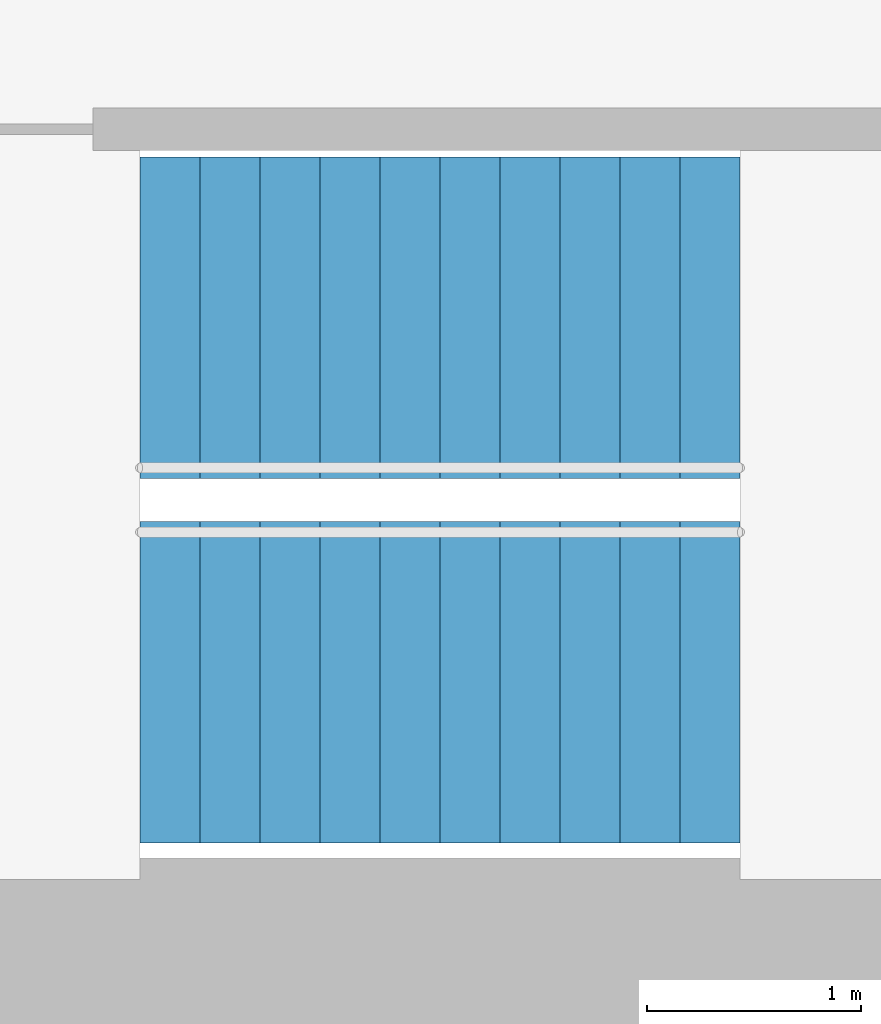
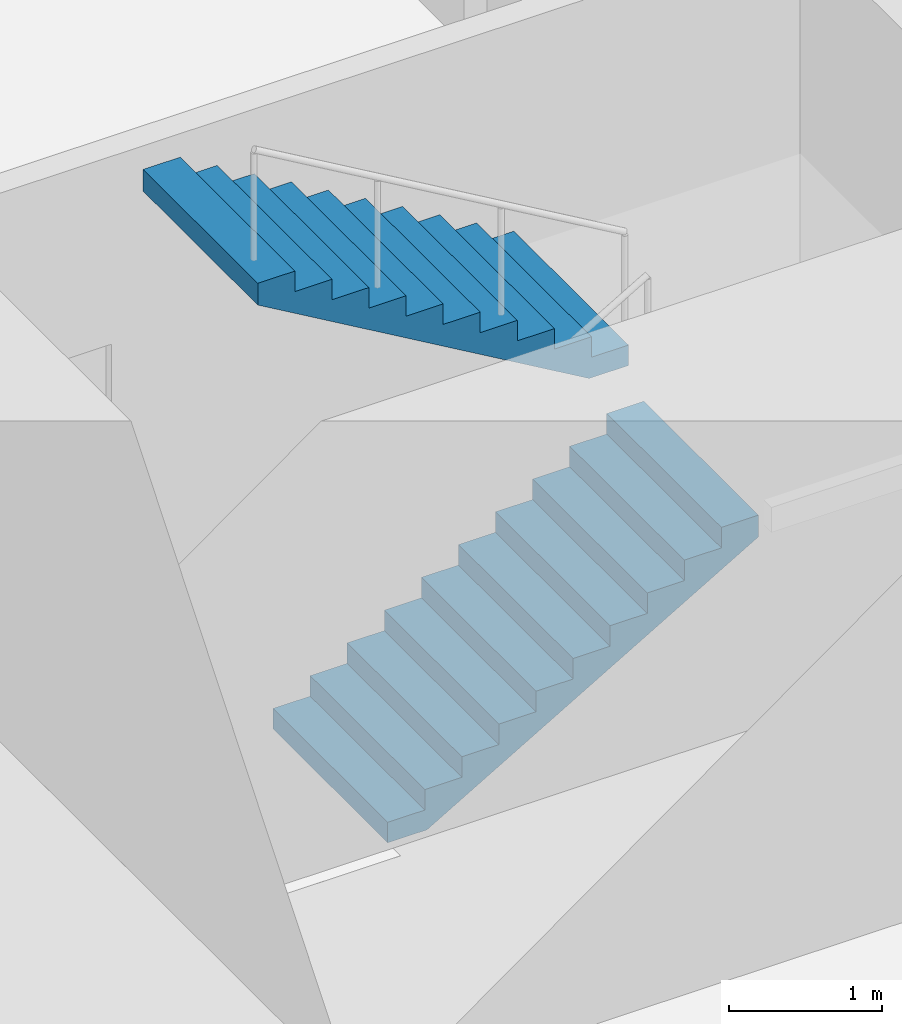
# One storey, part 13 of 15: 2 stair flights, 1 element without a shape of its own.
"""IFC4 building model written with IfcOpenShell, lengths in metres."""

from ifc_helpers import new_model, si_unit, direction, frame, origin, place, context, subcontext, project, spatial, triangles, material, type_object, element, aggregate, save


model = new_model("IFC4")

# Units and contexts
model_context = context("Model", 3, precision=1e-05, world=origin(), true_north=direction((0.0, 1.0)))
body_context = subcontext(model_context, "Body", "Model", "MODEL_VIEW")
ifc_project = project(units=[si_unit("LENGTHUNIT", "METRE"), si_unit("AREAUNIT", "SQUARE_METRE"), si_unit("VOLUMEUNIT", "CUBIC_METRE"), si_unit("PLANEANGLEUNIT", "RADIAN"), si_unit("MASSUNIT", "GRAM", prefix="KILO")], contexts=[model_context])

# Site, building, storey
site_placement = place(None, origin())
site = spatial("IfcSite", under=ifc_project, at=site_placement, CompositionType="ELEMENT")
building_placement = place(site_placement, origin())
building = spatial("IfcBuilding", under=site, at=building_placement, Name="Lantaw Convention Tower", CompositionType="ELEMENT")
storey_placement = place(building_placement, frame((0.0, 0.0, 58.60009765625)))
storey = spatial("IfcBuildingStorey", under=building, at=storey_placement, Name="L12", CompositionType="ELEMENT", Elevation=58.60009765625)

# Stair, stair flights
ifc_material = material(Name="Concrete C35/45", Category="concrete")
stair_type = type_object("IfcStairType", Name="Exit stair 1500 riser 163.64 in 2 flights", PredefinedType="HALF_TURN_STAIR", material=ifc_material)
stair_placement = place(storey_placement, origin())
stair = element("IfcStair", 1, at=stair_placement, inside=storey, type_object=stair_type, Name="Exit stair S1 L12", PredefinedType="HALF_TURN_STAIR")
stair_flight_type = type_object("IfcStairFlightType", Name="Stair flight 1500 riser 163.64", PredefinedType="STRAIGHT", material=ifc_material)
stair_flight_1_placement = place(storey_placement, frame((-10.580078125, -5.97998046875, 0.0), z_axis=(0.0, 0.0, 1.0), x_axis=(1.0, 0.0, 0.0)))
stair_flight_1 = element("IfcStairFlight", 2, at=stair_flight_1_placement, type_object=stair_flight_type, Name="S1 flight 1", NumberOfRisers=11, NumberOfTreads=10, PredefinedType="STRAIGHT", RiserHeight=0.163636364, TreadLength=0.28, context=body_context, shape_type="Tessellation", body=[
    triangles([(0.0, 0.75, 0.0), (0.0, 0.75, 0.163636364), (0.28, 0.75, 0.0), (0.28, 0.75, 0.163636364), (0.28, 0.75, 0.327272728), (0.2970904571225277, 0.75, 0.0), (0.2970904571225277, 0.75, 0.327272728), (0.56, 0.75, 0.1536484344906131), (0.56, 0.75, 0.327272728), (0.56, 0.75, 0.490909092), (0.8400000000000001, 0.75, 0.3172847984906131), (0.8400000000000001, 0.75, 0.490909092), (0.8400000000000001, 0.75, 0.654545456), (1.12, 0.75, 0.4809211624906131), (1.12, 0.75, 0.654545456), (1.12, 0.75, 0.8181818200000001), (1.4000000000000001, 0.75, 0.6445575264906132), (1.4000000000000001, 0.75, 0.8181818200000001), (1.4000000000000001, 0.75, 0.981818184), (1.6800000000000002, 0.75, 0.8081938904906131), (1.6800000000000002, 0.75, 0.981818184), (1.6800000000000002, 0.75, 1.145454548), (1.9600000000000002, 0.75, 0.9718302544906131), (1.9600000000000002, 0.75, 1.145454548), (1.9600000000000002, 0.75, 1.309090912), (2.24, 0.75, 1.135466618490613), (2.24, 0.75, 1.309090912), (2.24, 0.75, 1.472727276), (2.5200000000000005, 0.75, 1.2991029824906133), (2.5200000000000005, 0.75, 1.472727276), (2.5200000000000005, 0.75, 1.6363636400000001), (2.8000000000000003, 0.75, 1.462739346490613), (2.8000000000000003, 0.75, 1.6363636400000001), (0.0, -0.75, 0.0), (0.0, -0.75, 0.163636364), (0.28, -0.75, 0.0), (0.28, -0.75, 0.163636364), (0.28, -0.75, 0.327272728), (0.2970904571225277, -0.75, 0.0), (0.2970904571225277, -0.75, 0.327272728), (0.56, -0.75, 0.1536484344906131), (0.56, -0.75, 0.327272728), (0.56, -0.75, 0.490909092), (0.8400000000000001, -0.75, 0.3172847984906131), (0.8400000000000001, -0.75, 0.490909092), (0.8400000000000001, -0.75, 0.654545456), (1.12, -0.75, 0.4809211624906131), (1.12, -0.75, 0.654545456), (1.12, -0.75, 0.8181818200000001), (1.4000000000000001, -0.75, 0.6445575264906132), (1.4000000000000001, -0.75, 0.8181818200000001), (1.4000000000000001, -0.75, 0.981818184), (1.6800000000000002, -0.75, 0.8081938904906131), (1.6800000000000002, -0.75, 0.981818184), (1.6800000000000002, -0.75, 1.145454548), (1.9600000000000002, -0.75, 0.9718302544906131), (1.9600000000000002, -0.75, 1.145454548), (1.9600000000000002, -0.75, 1.309090912), (2.24, -0.75, 1.135466618490613), (2.24, -0.75, 1.309090912), (2.24, -0.75, 1.472727276), (2.5200000000000005, -0.75, 1.2991029824906133), (2.5200000000000005, -0.75, 1.472727276), (2.5200000000000005, -0.75, 1.6363636400000001), (2.8000000000000003, -0.75, 1.462739346490613), (2.8000000000000003, -0.75, 1.6363636400000001), (0.0, 0.15000000000000002, 0.163636364), (0.0, 0.15000000000000002, 0.0), (0.0, 0.0, 0.163636364), (0.0, 0.0, 0.0), (0.0, -0.15000000000000002, 0.163636364), (0.0, -0.15000000000000002, 0.0), (0.28, 0.15000000000000002, 0.327272728), (0.28, 0.15000000000000002, 0.163636364), (0.28, 0.0, 0.327272728), (0.28, 0.0, 0.163636364), (0.28, -0.15000000000000002, 0.327272728), (0.28, -0.15000000000000002, 0.163636364), (0.56, 0.15000000000000002, 0.490909092), (0.56, 0.15000000000000002, 0.327272728), (0.56, 0.0, 0.490909092), (0.56, 0.0, 0.327272728), (0.56, -0.15000000000000002, 0.490909092), (0.56, -0.15000000000000002, 0.327272728), (0.8400000000000001, 0.15000000000000002, 0.654545456), (0.8400000000000001, 0.15000000000000002, 0.490909092), (0.8400000000000001, 0.0, 0.654545456), (0.8400000000000001, 0.0, 0.490909092), (0.8400000000000001, -0.15000000000000002, 0.654545456), (0.8400000000000001, -0.15000000000000002, 0.490909092), (1.12, 0.15000000000000002, 0.8181818200000001), (1.12, 0.15000000000000002, 0.654545456), (1.12, 0.0, 0.8181818200000001), (1.12, 0.0, 0.654545456), (1.12, -0.15000000000000002, 0.8181818200000001), (1.12, -0.15000000000000002, 0.654545456), (1.4000000000000001, 0.15000000000000002, 0.981818184), (1.4000000000000001, 0.15000000000000002, 0.8181818200000001), (1.4000000000000001, 0.0, 0.981818184), (1.4000000000000001, 0.0, 0.8181818200000001), (1.4000000000000001, -0.15000000000000002, 0.981818184), (1.4000000000000001, -0.15000000000000002, 0.8181818200000001), (1.6800000000000002, 0.15000000000000002, 1.145454548), (1.6800000000000002, 0.15000000000000002, 0.981818184), (1.6800000000000002, 0.0, 1.145454548), (1.6800000000000002, 0.0, 0.981818184), (1.6800000000000002, -0.15000000000000002, 1.145454548), (1.6800000000000002, -0.15000000000000002, 0.981818184), (1.9600000000000002, 0.15000000000000002, 1.309090912), (1.9600000000000002, 0.15000000000000002, 1.145454548), (1.9600000000000002, 0.0, 1.309090912), (1.9600000000000002, 0.0, 1.145454548), (1.9600000000000002, -0.15000000000000002, 1.309090912), (1.9600000000000002, -0.15000000000000002, 1.145454548), (2.24, 0.15000000000000002, 1.472727276), (2.24, 0.15000000000000002, 1.309090912), (2.24, 0.0, 1.472727276), (2.24, 0.0, 1.309090912), (2.24, -0.15000000000000002, 1.472727276), (2.24, -0.15000000000000002, 1.309090912), (2.5200000000000005, 0.15000000000000002, 1.6363636400000001), (2.5200000000000005, 0.15000000000000002, 1.472727276), (2.5200000000000005, 0.0, 1.6363636400000001), (2.5200000000000005, 0.0, 1.472727276), (2.5200000000000005, -0.15000000000000002, 1.6363636400000001), (2.5200000000000005, -0.15000000000000002, 1.472727276), (0.2970904571225277, 0.15000000000000002, 0.327272728), (0.2970904571225277, 0.0, 0.327272728), (0.2970904571225277, -0.15000000000000002, 0.327272728), (2.8000000000000003, 0.15000000000000002, 1.6363636400000001), (2.8000000000000003, 0.0, 1.6363636400000001), (2.8000000000000003, -0.15000000000000002, 1.6363636400000001), (2.8000000000000003, 0.15000000000000002, 1.462739346490613), (2.8000000000000003, 0.0, 1.462739346490613), (2.8000000000000003, -0.15000000000000002, 1.462739346490613), (2.5200000000000005, 0.15000000000000002, 1.2991029824906133), (2.5200000000000005, 0.0, 1.2991029824906133), (2.5200000000000005, -0.15000000000000002, 1.2991029824906133), (2.24, 0.15000000000000002, 1.135466618490613), (2.24, 0.0, 1.135466618490613), (2.24, -0.15000000000000002, 1.135466618490613), (1.9600000000000002, 0.15000000000000002, 0.9718302544906131), (1.9600000000000002, 0.0, 0.9718302544906131), (1.9600000000000002, -0.15000000000000002, 0.9718302544906131), (1.6800000000000002, 0.15000000000000002, 0.8081938904906131), (1.6800000000000002, 0.0, 0.8081938904906131), (1.6800000000000002, -0.15000000000000002, 0.8081938904906131), (1.4000000000000001, 0.15000000000000002, 0.6445575264906132), (1.4000000000000001, 0.0, 0.6445575264906132), (1.4000000000000001, -0.15000000000000002, 0.6445575264906132), (1.12, 0.15000000000000002, 0.4809211624906131), (1.12, 0.0, 0.4809211624906131), (1.12, -0.15000000000000002, 0.4809211624906131), (0.8400000000000001, 0.15000000000000002, 0.3172847984906131), (0.8400000000000001, 0.0, 0.3172847984906131), (0.8400000000000001, -0.15000000000000002, 0.3172847984906131), (0.56, 0.15000000000000002, 0.1536484344906131), (0.56, 0.0, 0.1536484344906131), (0.56, -0.15000000000000002, 0.1536484344906131), (0.2970904571225277, 0.15000000000000002, 0.0), (0.2970904571225277, 0.0, 0.0), (0.2970904571225277, -0.15000000000000002, 0.0), (0.28, 0.15000000000000002, 0.0), (0.28, 0.0, 0.0), (0.28, -0.15000000000000002, 0.0)], [[1, 4, 3], [1, 2, 4], [3, 4, 6], [4, 7, 6], [4, 5, 7], [6, 9, 8], [6, 7, 9], [8, 9, 11], [9, 12, 11], [9, 10, 12], [11, 12, 14], [12, 15, 14], [12, 13, 15], [14, 15, 17], [15, 18, 17], [15, 16, 18], [17, 18, 20], [18, 21, 20], [18, 19, 21], [20, 21, 23], [21, 24, 23], [21, 22, 24], [23, 24, 26], [24, 27, 26], [24, 25, 27], [26, 27, 29], [27, 30, 29], [27, 28, 30], [29, 30, 32], [30, 33, 32], [30, 31, 33], [34, 36, 37], [34, 37, 35], [36, 39, 37], [37, 39, 40], [37, 40, 38], [39, 41, 42], [39, 42, 40], [41, 44, 42], [42, 44, 45], [42, 45, 43], [44, 47, 45], [45, 47, 48], [45, 48, 46], [47, 50, 48], [48, 50, 51], [48, 51, 49], [50, 53, 51], [51, 53, 54], [51, 54, 52], [53, 56, 54], [54, 56, 57], [54, 57, 55], [56, 59, 57], [57, 59, 60], [57, 60, 58], [59, 62, 60], [60, 62, 63], [60, 63, 61], [62, 65, 63], [63, 65, 66], [63, 66, 64], [1, 67, 2], [1, 68, 67], [68, 69, 67], [68, 70, 69], [70, 71, 69], [70, 72, 71], [72, 35, 71], [72, 34, 35], [4, 73, 5], [4, 74, 73], [74, 75, 73], [74, 76, 75], [76, 77, 75], [76, 78, 77], [78, 38, 77], [78, 37, 38], [9, 79, 10], [9, 80, 79], [80, 81, 79], [80, 82, 81], [82, 83, 81], [82, 84, 83], [84, 43, 83], [84, 42, 43], [12, 85, 13], [12, 86, 85], [86, 87, 85], [86, 88, 87], [88, 89, 87], [88, 90, 89], [90, 46, 89], [90, 45, 46], [15, 91, 16], [15, 92, 91], [92, 93, 91], [92, 94, 93], [94, 95, 93], [94, 96, 95], [96, 49, 95], [96, 48, 49], [18, 97, 19], [18, 98, 97], [98, 99, 97], [98, 100, 99], [100, 101, 99], [100, 102, 101], [102, 52, 101], [102, 51, 52], [21, 103, 22], [21, 104, 103], [104, 105, 103], [104, 106, 105], [106, 107, 105], [106, 108, 107], [108, 55, 107], [108, 54, 55], [24, 109, 25], [24, 110, 109], [110, 111, 109], [110, 112, 111], [112, 113, 111], [112, 114, 113], [114, 58, 113], [114, 57, 58], [27, 115, 28], [27, 116, 115], [116, 117, 115], [116, 118, 117], [118, 119, 117], [118, 120, 119], [120, 61, 119], [120, 60, 61], [30, 121, 31], [30, 122, 121], [122, 123, 121], [122, 124, 123], [124, 125, 123], [124, 126, 125], [126, 64, 125], [126, 63, 64], [2, 74, 4], [2, 67, 74], [67, 76, 74], [67, 69, 76], [69, 78, 76], [69, 71, 78], [71, 37, 78], [71, 35, 37], [5, 127, 7], [5, 73, 127], [73, 128, 127], [73, 75, 128], [75, 129, 128], [75, 77, 129], [77, 40, 129], [77, 38, 40], [7, 80, 9], [7, 127, 80], [127, 82, 80], [127, 128, 82], [128, 84, 82], [128, 129, 84], [129, 42, 84], [129, 40, 42], [10, 86, 12], [10, 79, 86], [79, 88, 86], [79, 81, 88], [81, 90, 88], [81, 83, 90], [83, 45, 90], [83, 43, 45], [13, 92, 15], [13, 85, 92], [85, 94, 92], [85, 87, 94], [87, 96, 94], [87, 89, 96], [89, 48, 96], [89, 46, 48], [16, 98, 18], [16, 91, 98], [91, 100, 98], [91, 93, 100], [93, 102, 100], [93, 95, 102], [95, 51, 102], [95, 49, 51], [19, 104, 21], [19, 97, 104], [97, 106, 104], [97, 99, 106], [99, 108, 106], [99, 101, 108], [101, 54, 108], [101, 52, 54], [22, 110, 24], [22, 103, 110], [103, 112, 110], [103, 105, 112], [105, 114, 112], [105, 107, 114], [107, 57, 114], [107, 55, 57], [25, 116, 27], [25, 109, 116], [109, 118, 116], [109, 111, 118], [111, 120, 118], [111, 113, 120], [113, 60, 120], [113, 58, 60], [28, 122, 30], [28, 115, 122], [115, 124, 122], [115, 117, 124], [117, 126, 124], [117, 119, 126], [119, 63, 126], [119, 61, 63], [31, 130, 33], [31, 121, 130], [121, 131, 130], [121, 123, 131], [123, 132, 131], [123, 125, 132], [125, 66, 132], [125, 64, 66], [33, 133, 32], [33, 130, 133], [130, 134, 133], [130, 131, 134], [131, 135, 134], [131, 132, 135], [132, 65, 135], [132, 66, 65], [32, 136, 29], [32, 133, 136], [133, 137, 136], [133, 134, 137], [134, 138, 137], [134, 135, 138], [135, 62, 138], [135, 65, 62], [29, 139, 26], [29, 136, 139], [136, 140, 139], [136, 137, 140], [137, 141, 140], [137, 138, 141], [138, 59, 141], [138, 62, 59], [26, 142, 23], [26, 139, 142], [139, 143, 142], [139, 140, 143], [140, 144, 143], [140, 141, 144], [141, 56, 144], [141, 59, 56], [23, 145, 20], [23, 142, 145], [142, 146, 145], [142, 143, 146], [143, 147, 146], [143, 144, 147], [144, 53, 147], [144, 56, 53], [20, 148, 17], [20, 145, 148], [145, 149, 148], [145, 146, 149], [146, 150, 149], [146, 147, 150], [147, 50, 150], [147, 53, 50], [17, 151, 14], [17, 148, 151], [148, 152, 151], [148, 149, 152], [149, 153, 152], [149, 150, 153], [150, 47, 153], [150, 50, 47], [14, 154, 11], [14, 151, 154], [151, 155, 154], [151, 152, 155], [152, 156, 155], [152, 153, 156], [153, 44, 156], [153, 47, 44], [11, 157, 8], [11, 154, 157], [154, 158, 157], [154, 155, 158], [155, 159, 158], [155, 156, 159], [156, 41, 159], [156, 44, 41], [8, 160, 6], [8, 157, 160], [157, 161, 160], [157, 158, 161], [158, 162, 161], [158, 159, 162], [159, 39, 162], [159, 41, 39], [6, 163, 3], [6, 160, 163], [160, 164, 163], [160, 161, 164], [161, 165, 164], [161, 162, 165], [162, 36, 165], [162, 39, 36], [3, 68, 1], [3, 163, 68], [163, 70, 68], [163, 164, 70], [164, 72, 70], [164, 165, 72], [165, 34, 72], [165, 36, 34]], closed=True),
])
stair_flight_2_placement = place(storey_placement, frame((-7.780029296875, -4.280029296875, 1.7998046875), z_axis=(0.0, 0.0, 1.0), x_axis=(-1.0, 0.0, 0.0)))
stair_flight_2 = element("IfcStairFlight", 3, at=stair_flight_2_placement, type_object=stair_flight_type, Name="S1 flight 2", NumberOfRisers=11, NumberOfTreads=10, PredefinedType="STRAIGHT", RiserHeight=0.163636364, TreadLength=0.28, context=body_context, shape_type="Tessellation", body=[
    triangles([(0.0, 0.75, 0.0), (0.0, 0.75, 0.163636364), (0.28, 0.75, 0.0), (0.28, 0.75, 0.163636364), (0.28, 0.75, 0.327272728), (0.2970904571225277, 0.75, 0.0), (0.2970904571225277, 0.75, 0.327272728), (0.56, 0.75, 0.1536484344906131), (0.56, 0.75, 0.327272728), (0.56, 0.75, 0.490909092), (0.8400000000000001, 0.75, 0.3172847984906131), (0.8400000000000001, 0.75, 0.490909092), (0.8400000000000001, 0.75, 0.654545456), (1.12, 0.75, 0.4809211624906131), (1.12, 0.75, 0.654545456), (1.12, 0.75, 0.8181818200000001), (1.4000000000000001, 0.75, 0.6445575264906132), (1.4000000000000001, 0.75, 0.8181818200000001), (1.4000000000000001, 0.75, 0.981818184), (1.6800000000000002, 0.75, 0.8081938904906131), (1.6800000000000002, 0.75, 0.981818184), (1.6800000000000002, 0.75, 1.145454548), (1.9600000000000002, 0.75, 0.9718302544906131), (1.9600000000000002, 0.75, 1.145454548), (1.9600000000000002, 0.75, 1.309090912), (2.24, 0.75, 1.135466618490613), (2.24, 0.75, 1.309090912), (2.24, 0.75, 1.472727276), (2.5200000000000005, 0.75, 1.2991029824906133), (2.5200000000000005, 0.75, 1.472727276), (2.5200000000000005, 0.75, 1.6363636400000001), (2.8000000000000003, 0.75, 1.462739346490613), (2.8000000000000003, 0.75, 1.6363636400000001), (0.0, -0.75, 0.0), (0.0, -0.75, 0.163636364), (0.28, -0.75, 0.0), (0.28, -0.75, 0.163636364), (0.28, -0.75, 0.327272728), (0.2970904571225277, -0.75, 0.0), (0.2970904571225277, -0.75, 0.327272728), (0.56, -0.75, 0.1536484344906131), (0.56, -0.75, 0.327272728), (0.56, -0.75, 0.490909092), (0.8400000000000001, -0.75, 0.3172847984906131), (0.8400000000000001, -0.75, 0.490909092), (0.8400000000000001, -0.75, 0.654545456), (1.12, -0.75, 0.4809211624906131), (1.12, -0.75, 0.654545456), (1.12, -0.75, 0.8181818200000001), (1.4000000000000001, -0.75, 0.6445575264906132), (1.4000000000000001, -0.75, 0.8181818200000001), (1.4000000000000001, -0.75, 0.981818184), (1.6800000000000002, -0.75, 0.8081938904906131), (1.6800000000000002, -0.75, 0.981818184), (1.6800000000000002, -0.75, 1.145454548), (1.9600000000000002, -0.75, 0.9718302544906131), (1.9600000000000002, -0.75, 1.145454548), (1.9600000000000002, -0.75, 1.309090912), (2.24, -0.75, 1.135466618490613), (2.24, -0.75, 1.309090912), (2.24, -0.75, 1.472727276), (2.5200000000000005, -0.75, 1.2991029824906133), (2.5200000000000005, -0.75, 1.472727276), (2.5200000000000005, -0.75, 1.6363636400000001), (2.8000000000000003, -0.75, 1.462739346490613), (2.8000000000000003, -0.75, 1.6363636400000001), (0.0, 0.15000000000000002, 0.163636364), (0.0, 0.15000000000000002, 0.0), (0.0, 0.0, 0.163636364), (0.0, 0.0, 0.0), (0.0, -0.15000000000000002, 0.163636364), (0.0, -0.15000000000000002, 0.0), (0.28, 0.15000000000000002, 0.327272728), (0.28, 0.15000000000000002, 0.163636364), (0.28, 0.0, 0.327272728), (0.28, 0.0, 0.163636364), (0.28, -0.15000000000000002, 0.327272728), (0.28, -0.15000000000000002, 0.163636364), (0.56, 0.15000000000000002, 0.490909092), (0.56, 0.15000000000000002, 0.327272728), (0.56, 0.0, 0.490909092), (0.56, 0.0, 0.327272728), (0.56, -0.15000000000000002, 0.490909092), (0.56, -0.15000000000000002, 0.327272728), (0.8400000000000001, 0.15000000000000002, 0.654545456), (0.8400000000000001, 0.15000000000000002, 0.490909092), (0.8400000000000001, 0.0, 0.654545456), (0.8400000000000001, 0.0, 0.490909092), (0.8400000000000001, -0.15000000000000002, 0.654545456), (0.8400000000000001, -0.15000000000000002, 0.490909092), (1.12, 0.15000000000000002, 0.8181818200000001), (1.12, 0.15000000000000002, 0.654545456), (1.12, 0.0, 0.8181818200000001), (1.12, 0.0, 0.654545456), (1.12, -0.15000000000000002, 0.8181818200000001), (1.12, -0.15000000000000002, 0.654545456), (1.4000000000000001, 0.15000000000000002, 0.981818184), (1.4000000000000001, 0.15000000000000002, 0.8181818200000001), (1.4000000000000001, 0.0, 0.981818184), (1.4000000000000001, 0.0, 0.8181818200000001), (1.4000000000000001, -0.15000000000000002, 0.981818184), (1.4000000000000001, -0.15000000000000002, 0.8181818200000001), (1.6800000000000002, 0.15000000000000002, 1.145454548), (1.6800000000000002, 0.15000000000000002, 0.981818184), (1.6800000000000002, 0.0, 1.145454548), (1.6800000000000002, 0.0, 0.981818184), (1.6800000000000002, -0.15000000000000002, 1.145454548), (1.6800000000000002, -0.15000000000000002, 0.981818184), (1.9600000000000002, 0.15000000000000002, 1.309090912), (1.9600000000000002, 0.15000000000000002, 1.145454548), (1.9600000000000002, 0.0, 1.309090912), (1.9600000000000002, 0.0, 1.145454548), (1.9600000000000002, -0.15000000000000002, 1.309090912), (1.9600000000000002, -0.15000000000000002, 1.145454548), (2.24, 0.15000000000000002, 1.472727276), (2.24, 0.15000000000000002, 1.309090912), (2.24, 0.0, 1.472727276), (2.24, 0.0, 1.309090912), (2.24, -0.15000000000000002, 1.472727276), (2.24, -0.15000000000000002, 1.309090912), (2.5200000000000005, 0.15000000000000002, 1.6363636400000001), (2.5200000000000005, 0.15000000000000002, 1.472727276), (2.5200000000000005, 0.0, 1.6363636400000001), (2.5200000000000005, 0.0, 1.472727276), (2.5200000000000005, -0.15000000000000002, 1.6363636400000001), (2.5200000000000005, -0.15000000000000002, 1.472727276), (0.2970904571225277, 0.15000000000000002, 0.327272728), (0.2970904571225277, 0.0, 0.327272728), (0.2970904571225277, -0.15000000000000002, 0.327272728), (2.8000000000000003, 0.15000000000000002, 1.6363636400000001), (2.8000000000000003, 0.0, 1.6363636400000001), (2.8000000000000003, -0.15000000000000002, 1.6363636400000001), (2.8000000000000003, 0.15000000000000002, 1.462739346490613), (2.8000000000000003, 0.0, 1.462739346490613), (2.8000000000000003, -0.15000000000000002, 1.462739346490613), (2.5200000000000005, 0.15000000000000002, 1.2991029824906133), (2.5200000000000005, 0.0, 1.2991029824906133), (2.5200000000000005, -0.15000000000000002, 1.2991029824906133), (2.24, 0.15000000000000002, 1.135466618490613), (2.24, 0.0, 1.135466618490613), (2.24, -0.15000000000000002, 1.135466618490613), (1.9600000000000002, 0.15000000000000002, 0.9718302544906131), (1.9600000000000002, 0.0, 0.9718302544906131), (1.9600000000000002, -0.15000000000000002, 0.9718302544906131), (1.6800000000000002, 0.15000000000000002, 0.8081938904906131), (1.6800000000000002, 0.0, 0.8081938904906131), (1.6800000000000002, -0.15000000000000002, 0.8081938904906131), (1.4000000000000001, 0.15000000000000002, 0.6445575264906132), (1.4000000000000001, 0.0, 0.6445575264906132), (1.4000000000000001, -0.15000000000000002, 0.6445575264906132), (1.12, 0.15000000000000002, 0.4809211624906131), (1.12, 0.0, 0.4809211624906131), (1.12, -0.15000000000000002, 0.4809211624906131), (0.8400000000000001, 0.15000000000000002, 0.3172847984906131), (0.8400000000000001, 0.0, 0.3172847984906131), (0.8400000000000001, -0.15000000000000002, 0.3172847984906131), (0.56, 0.15000000000000002, 0.1536484344906131), (0.56, 0.0, 0.1536484344906131), (0.56, -0.15000000000000002, 0.1536484344906131), (0.2970904571225277, 0.15000000000000002, 0.0), (0.2970904571225277, 0.0, 0.0), (0.2970904571225277, -0.15000000000000002, 0.0), (0.28, 0.15000000000000002, 0.0), (0.28, 0.0, 0.0), (0.28, -0.15000000000000002, 0.0)], [[1, 4, 3], [1, 2, 4], [3, 4, 6], [4, 7, 6], [4, 5, 7], [6, 9, 8], [6, 7, 9], [8, 9, 11], [9, 12, 11], [9, 10, 12], [11, 12, 14], [12, 15, 14], [12, 13, 15], [14, 15, 17], [15, 18, 17], [15, 16, 18], [17, 18, 20], [18, 21, 20], [18, 19, 21], [20, 21, 23], [21, 24, 23], [21, 22, 24], [23, 24, 26], [24, 27, 26], [24, 25, 27], [26, 27, 29], [27, 30, 29], [27, 28, 30], [29, 30, 32], [30, 33, 32], [30, 31, 33], [34, 36, 37], [34, 37, 35], [36, 39, 37], [37, 39, 40], [37, 40, 38], [39, 41, 42], [39, 42, 40], [41, 44, 42], [42, 44, 45], [42, 45, 43], [44, 47, 45], [45, 47, 48], [45, 48, 46], [47, 50, 48], [48, 50, 51], [48, 51, 49], [50, 53, 51], [51, 53, 54], [51, 54, 52], [53, 56, 54], [54, 56, 57], [54, 57, 55], [56, 59, 57], [57, 59, 60], [57, 60, 58], [59, 62, 60], [60, 62, 63], [60, 63, 61], [62, 65, 63], [63, 65, 66], [63, 66, 64], [1, 67, 2], [1, 68, 67], [68, 69, 67], [68, 70, 69], [70, 71, 69], [70, 72, 71], [72, 35, 71], [72, 34, 35], [4, 73, 5], [4, 74, 73], [74, 75, 73], [74, 76, 75], [76, 77, 75], [76, 78, 77], [78, 38, 77], [78, 37, 38], [9, 79, 10], [9, 80, 79], [80, 81, 79], [80, 82, 81], [82, 83, 81], [82, 84, 83], [84, 43, 83], [84, 42, 43], [12, 85, 13], [12, 86, 85], [86, 87, 85], [86, 88, 87], [88, 89, 87], [88, 90, 89], [90, 46, 89], [90, 45, 46], [15, 91, 16], [15, 92, 91], [92, 93, 91], [92, 94, 93], [94, 95, 93], [94, 96, 95], [96, 49, 95], [96, 48, 49], [18, 97, 19], [18, 98, 97], [98, 99, 97], [98, 100, 99], [100, 101, 99], [100, 102, 101], [102, 52, 101], [102, 51, 52], [21, 103, 22], [21, 104, 103], [104, 105, 103], [104, 106, 105], [106, 107, 105], [106, 108, 107], [108, 55, 107], [108, 54, 55], [24, 109, 25], [24, 110, 109], [110, 111, 109], [110, 112, 111], [112, 113, 111], [112, 114, 113], [114, 58, 113], [114, 57, 58], [27, 115, 28], [27, 116, 115], [116, 117, 115], [116, 118, 117], [118, 119, 117], [118, 120, 119], [120, 61, 119], [120, 60, 61], [30, 121, 31], [30, 122, 121], [122, 123, 121], [122, 124, 123], [124, 125, 123], [124, 126, 125], [126, 64, 125], [126, 63, 64], [2, 74, 4], [2, 67, 74], [67, 76, 74], [67, 69, 76], [69, 78, 76], [69, 71, 78], [71, 37, 78], [71, 35, 37], [5, 127, 7], [5, 73, 127], [73, 128, 127], [73, 75, 128], [75, 129, 128], [75, 77, 129], [77, 40, 129], [77, 38, 40], [7, 80, 9], [7, 127, 80], [127, 82, 80], [127, 128, 82], [128, 84, 82], [128, 129, 84], [129, 42, 84], [129, 40, 42], [10, 86, 12], [10, 79, 86], [79, 88, 86], [79, 81, 88], [81, 90, 88], [81, 83, 90], [83, 45, 90], [83, 43, 45], [13, 92, 15], [13, 85, 92], [85, 94, 92], [85, 87, 94], [87, 96, 94], [87, 89, 96], [89, 48, 96], [89, 46, 48], [16, 98, 18], [16, 91, 98], [91, 100, 98], [91, 93, 100], [93, 102, 100], [93, 95, 102], [95, 51, 102], [95, 49, 51], [19, 104, 21], [19, 97, 104], [97, 106, 104], [97, 99, 106], [99, 108, 106], [99, 101, 108], [101, 54, 108], [101, 52, 54], [22, 110, 24], [22, 103, 110], [103, 112, 110], [103, 105, 112], [105, 114, 112], [105, 107, 114], [107, 57, 114], [107, 55, 57], [25, 116, 27], [25, 109, 116], [109, 118, 116], [109, 111, 118], [111, 120, 118], [111, 113, 120], [113, 60, 120], [113, 58, 60], [28, 122, 30], [28, 115, 122], [115, 124, 122], [115, 117, 124], [117, 126, 124], [117, 119, 126], [119, 63, 126], [119, 61, 63], [31, 130, 33], [31, 121, 130], [121, 131, 130], [121, 123, 131], [123, 132, 131], [123, 125, 132], [125, 66, 132], [125, 64, 66], [33, 133, 32], [33, 130, 133], [130, 134, 133], [130, 131, 134], [131, 135, 134], [131, 132, 135], [132, 65, 135], [132, 66, 65], [32, 136, 29], [32, 133, 136], [133, 137, 136], [133, 134, 137], [134, 138, 137], [134, 135, 138], [135, 62, 138], [135, 65, 62], [29, 139, 26], [29, 136, 139], [136, 140, 139], [136, 137, 140], [137, 141, 140], [137, 138, 141], [138, 59, 141], [138, 62, 59], [26, 142, 23], [26, 139, 142], [139, 143, 142], [139, 140, 143], [140, 144, 143], [140, 141, 144], [141, 56, 144], [141, 59, 56], [23, 145, 20], [23, 142, 145], [142, 146, 145], [142, 143, 146], [143, 147, 146], [143, 144, 147], [144, 53, 147], [144, 56, 53], [20, 148, 17], [20, 145, 148], [145, 149, 148], [145, 146, 149], [146, 150, 149], [146, 147, 150], [147, 50, 150], [147, 53, 50], [17, 151, 14], [17, 148, 151], [148, 152, 151], [148, 149, 152], [149, 153, 152], [149, 150, 153], [150, 47, 153], [150, 50, 47], [14, 154, 11], [14, 151, 154], [151, 155, 154], [151, 152, 155], [152, 156, 155], [152, 153, 156], [153, 44, 156], [153, 47, 44], [11, 157, 8], [11, 154, 157], [154, 158, 157], [154, 155, 158], [155, 159, 158], [155, 156, 159], [156, 41, 159], [156, 44, 41], [8, 160, 6], [8, 157, 160], [157, 161, 160], [157, 158, 161], [158, 162, 161], [158, 159, 162], [159, 39, 162], [159, 41, 39], [6, 163, 3], [6, 160, 163], [160, 164, 163], [160, 161, 164], [161, 165, 164], [161, 162, 165], [162, 36, 165], [162, 39, 36], [3, 68, 1], [3, 163, 68], [163, 70, 68], [163, 164, 70], [164, 72, 70], [164, 165, 72], [165, 34, 72], [165, 36, 34]], closed=True),
])
aggregate(stair, [stair_flight_1, stair_flight_2])

save(model, "model.ifc")
